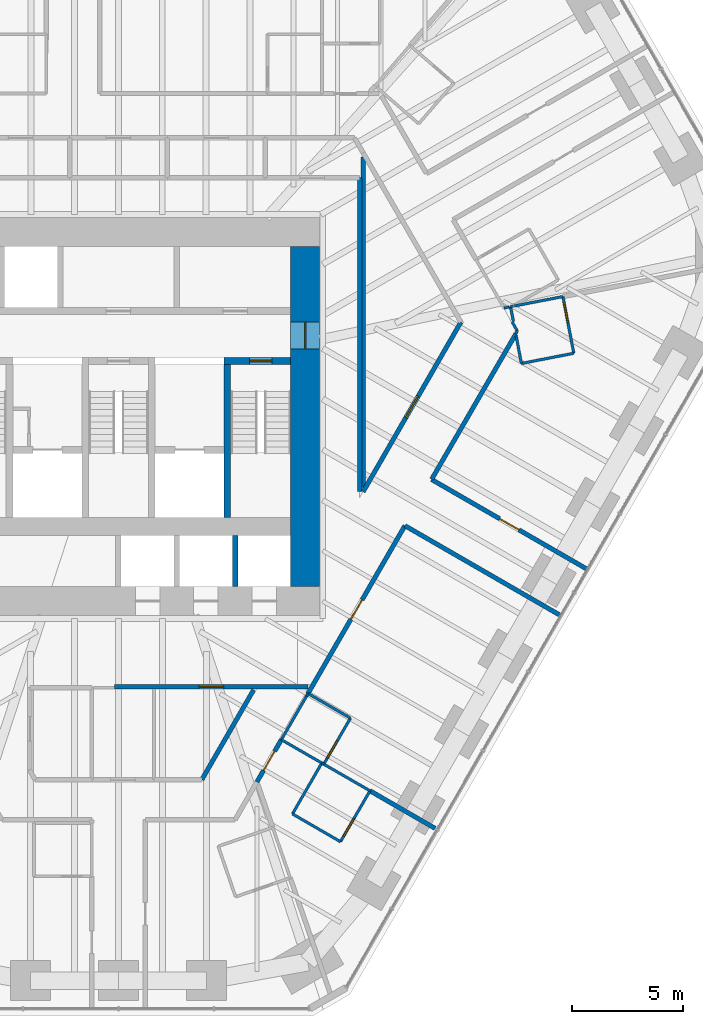
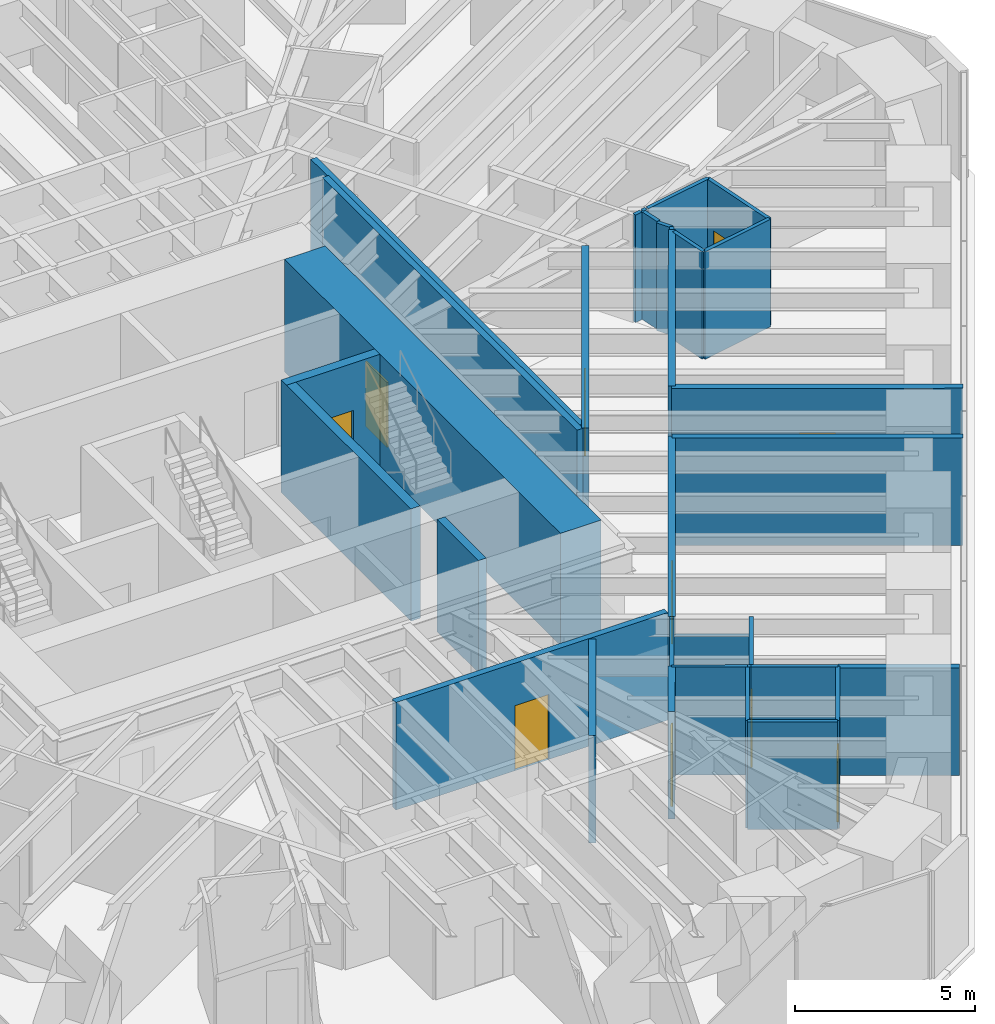
# One storey, part 13 of 17: 34 walls, 10 doors, 10 openings.
"""IFC4 building model written with IfcOpenShell, lengths in metres."""

import ifcopenshell
import ifcopenshell.guid

model = None  # the IFC model being written
_history = None  # IfcOwnerHistory: only IFC2X3 demands one
_inside = {}  # id of a spatial element -> (the spatial element, [elements in it])
_under = {}  # id of a project, library or spatial element -> (it, [spatial elements below it])
_declared = {}  # id of a project -> (the project, [libraries it declares])
_typed = {}  # id of a type object -> (the type object, [elements of that type])
_made_of = {}  # id of a material, layer set ... -> (it, [elements and type objects made of it])


def new_model(schema):
    """Start an empty IFC model of exactly this schema.

    Asked for "IFC4X3", IfcOpenShell would pick the latest addendum, in which some entities
    have other attributes; the version numbers below select the first issue.
    IFC2X3 requires an IfcOwnerHistory on every rooted entity: one is made here for all.
    """
    global model, _history
    if schema == "IFC4X3":
        model = ifcopenshell.file(schema_version=(4, 3, 0, 0))
    else:
        model = ifcopenshell.file(schema=schema)
    _inside.clear()
    _under.clear()
    _declared.clear()
    _typed.clear()
    _made_of.clear()
    _history = None
    if model.schema == "IFC2X3":
        org = make("IfcOrganization", Name="unknown")
        user = make(
            "IfcPersonAndOrganization",
            ThePerson=make("IfcPerson", FamilyName="unknown"),
            TheOrganization=org,
        )
        app = make(
            "IfcApplication",
            ApplicationDeveloper=org,
            Version="unknown",
            ApplicationFullName="unknown",
            ApplicationIdentifier="unknown",
        )
        _history = make(
            "IfcOwnerHistory",
            OwningUser=user,
            OwningApplication=app,
            ChangeAction="ADDED",
            CreationDate=0,
        )
    return model


def make(cls, **values):
    """One entity of the class cls with the attributes given. An attribute that is None is left unset."""
    return model.create_entity(
        cls, **{name: value for name, value in values.items() if value is not None}
    )


def rooted(cls, **values):
    """An entity with a GlobalId (a new one), such as an element, a storey or a relation."""
    return make(cls, GlobalId=ifcopenshell.guid.new(), OwnerHistory=_history, **values)


def si_unit(unit_type, name, prefix=None):
    """IfcSIUnit, for example si_unit("LENGTHUNIT", "METRE", prefix="MILLI")."""
    return make("IfcSIUnit", UnitType=unit_type, Prefix=prefix, Name=name)


def assignment(units):
    """IfcUnitAssignment: the units of a project."""
    return None if units is None else make("IfcUnitAssignment", Units=units)


def point(xyz):
    """IfcCartesianPoint."""
    return None if xyz is None else make("IfcCartesianPoint", Coordinates=xyz)


def direction(xyz):
    """IfcDirection."""
    return None if xyz is None else make("IfcDirection", DirectionRatios=xyz)


def frame(location, z_axis=None, x_axis=None):
    """IfcAxis2Placement3D, a coordinate frame: its origin and axes. An axis left out is left unset."""
    return make(
        "IfcAxis2Placement3D",
        Location=point(location),
        Axis=direction(z_axis),
        RefDirection=direction(x_axis),
    )


def frame_2d(location, x_axis=None):
    """IfcAxis2Placement2D, a coordinate frame in the plane: its origin and x axis."""
    return make(
        "IfcAxis2Placement2D", Location=point(location), RefDirection=direction(x_axis)
    )


def origin():
    """The frame at (0, 0, 0) with its axes left unset."""
    return frame((0.0, 0.0, 0.0))


def place(relative_to, where):
    """IfcLocalPlacement: puts the frame where relative to a parent placement (None: the world)."""
    return make(
        "IfcLocalPlacement", PlacementRelTo=relative_to, RelativePlacement=where
    )


def context(
    kind, dimensions, precision=None, world=None, true_north=None, identifier=None
):
    """IfcGeometricRepresentationContext, for example the 3D "Model" context."""
    return make(
        "IfcGeometricRepresentationContext",
        ContextIdentifier=identifier,
        ContextType=kind,
        CoordinateSpaceDimension=dimensions,
        Precision=precision,
        WorldCoordinateSystem=world,
        TrueNorth=true_north,
    )


def subcontext(parent, identifier, kind, view, scale=None):
    """IfcGeometricRepresentationSubContext, for example "Body" below "Model"."""
    return make(
        "IfcGeometricRepresentationSubContext",
        ContextIdentifier=identifier,
        ContextType=kind,
        ParentContext=parent,
        TargetScale=scale,
        TargetView=view,
    )


def project(units=None, contexts=None):
    """IfcProject with its units and contexts."""
    return rooted(
        "IfcProject",
        Name="project",
        RepresentationContexts=contexts,
        UnitsInContext=assignment(units),
    )


def spatial(cls, under=None, at=None, **own):
    """A site, building, storey or space (cls), placed at a placement, below another one or the project."""
    s = rooted(cls, ObjectPlacement=at, **own)
    if under is not None:
        _under.setdefault(under.id(), (under, []))[1].append(s)
    return s


def profile(cls, at=None, kind="AREA", **sizes):
    """A parametric profile (cls). Its sizes go by their IFC names, for example OverallWidth=200.0."""
    return make(cls, ProfileType=kind, Position=at, **sizes)


def rectangle(**sizes):
    """IfcRectangleProfileDef."""
    return profile("IfcRectangleProfileDef", **sizes)


def extrude(swept, where, along, depth):
    """IfcExtrudedAreaSolid: the profile swept, set in the frame where, extruded along a direction by depth."""
    return make(
        "IfcExtrudedAreaSolid",
        SweptArea=swept,
        Position=where,
        ExtrudedDirection=direction(along),
        Depth=depth,
    )


def shape(context_of_items, identifier, shape_type, items):
    """IfcShapeRepresentation: the items that make up one representation, for example the "Body"."""
    return make(
        "IfcShapeRepresentation",
        ContextOfItems=context_of_items,
        RepresentationIdentifier=identifier,
        RepresentationType=shape_type,
        Items=items,
    )


def material(Name=None, Category=None):
    """IfcMaterial."""
    return make("IfcMaterial", Name=Name, Category=Category)


def layer(
    of_material, thickness, ventilated=None, Name=None, Category=None, Priority=None
):
    """IfcMaterialLayer: one layer of a wall or slab, of a material (None: an air gap)."""
    return make(
        "IfcMaterialLayer",
        Material=of_material,
        LayerThickness=thickness,
        IsVentilated=ventilated,
        Name=Name,
        Category=Category,
        Priority=Priority,
    )


def layer_set(layers, Name=None):
    """IfcMaterialLayerSet."""
    return make("IfcMaterialLayerSet", MaterialLayers=layers, LayerSetName=Name)


def made_of(thing, what):
    """Note that an element or type object is made of a material, layer set ...; save() writes the relation."""
    if what is not None:
        _made_of.setdefault(what.id(), (what, []))[1].append(thing)
    return thing


def type_object(cls, material=None, **own):
    """A type object (cls), such as IfcWallType, which elements share."""
    return made_of(rooted(cls, **own), material)


def element(
    cls,
    number,
    at=None,
    inside=None,
    cuts=None,
    type_object=None,
    material=None,
    context=None,
    identifier="Body",
    shape_type=None,
    held_by="IfcProductDefinitionShape",
    body=None,
    shapes=None,
    **own,
):
    """One element of the class cls, such as IfcWall. Its Tag is "e" and its number.

    at: its placement. inside: the storey or other place that contains it. cuts: it is an
    opening in that element (IfcRelVoidsElement). A single representation is given by context,
    identifier, shape_type and body (its items); several are given by shapes. held_by: the class
    of the entity that holds the representations. save() writes the other relations.
    """
    e = rooted(cls, Tag="e%d" % number, ObjectPlacement=at, **own)
    if body is not None:
        shapes = [shape(context, identifier, shape_type, body)]
    if shapes is not None:
        e.Representation = make(held_by, Representations=shapes)
    if inside is not None:
        _inside.setdefault(inside.id(), (inside, []))[1].append(e)
    if cuts is not None:
        rooted(
            "IfcRelVoidsElement", RelatingBuildingElement=cuts, RelatedOpeningElement=e
        )
    if type_object is not None:
        _typed.setdefault(type_object.id(), (type_object, []))[1].append(e)
    return made_of(e, material)


def fill(opening, filler):
    """IfcRelFillsElement: the door or window that sits in an opening."""
    return rooted(
        "IfcRelFillsElement",
        RelatingOpeningElement=opening,
        RelatedBuildingElement=filler,
    )


def aggregate(whole, parts):
    """IfcRelAggregates: a whole, such as a stair, and the parts it consists of."""
    return rooted("IfcRelAggregates", RelatingObject=whole, RelatedObjects=parts)


def save(model, path):
    """Write the relations noted so far, then the file.

    IfcRelAggregates (storeys below a building ...), IfcRelContainedInSpatialStructure (elements
    in a storey), IfcRelDefinesByType, IfcRelAssociatesMaterial and IfcRelDeclares: one each for
    every whole, place, type object, material and project.
    """
    for whole, parts in _under.values():
        aggregate(whole, parts)
    for where, things in _inside.values():
        rooted(
            "IfcRelContainedInSpatialStructure",
            RelatedElements=things,
            RelatingStructure=where,
        )
    for kind, things in _typed.values():
        rooted("IfcRelDefinesByType", RelatedObjects=things, RelatingType=kind)
    for what, things in _made_of.values():
        rooted("IfcRelAssociatesMaterial", RelatedObjects=things, RelatingMaterial=what)
    for by, libraries in _declared.values():
        rooted("IfcRelDeclares", RelatingContext=by, RelatedDefinitions=libraries)
    model.write(path)


model = new_model("IFC4")

# Units and contexts
model_context = context("Model", 3, precision=1e-05, world=origin(), true_north=direction((0.0, 1.0)))
body_context = subcontext(model_context, "Body", "Model", "MODEL_VIEW")
ifc_project = project(units=[si_unit("LENGTHUNIT", "METRE"), si_unit("AREAUNIT", "SQUARE_METRE"), si_unit("VOLUMEUNIT", "CUBIC_METRE"), si_unit("PLANEANGLEUNIT", "RADIAN"), si_unit("MASSUNIT", "GRAM", prefix="KILO")], contexts=[model_context])

# Site, building, storey
site_placement = place(None, origin())
site = spatial("IfcSite", under=ifc_project, at=site_placement, CompositionType="ELEMENT")
building_placement = place(site_placement, origin())
building = spatial("IfcBuilding", under=site, at=building_placement, Name="Sandreach Pilgrim Tower", CompositionType="ELEMENT")
storey_placement = place(building_placement, frame((0.0, 0.0, 104.39990234375)))
storey = spatial("IfcBuildingStorey", under=building, at=storey_placement, Name="L25", CompositionType="ELEMENT", Elevation=104.39990234375)

# Walls
ifc_material_1 = material(Name="Moisture-resistant gypsum board on steel studs", Category="steel")
ifc_layer_1 = layer(ifc_material_1, 0.1201171875)
ifc_layer_set_1 = layer_set([ifc_layer_1], Name="Bathroom partition 120")
wall_type_1 = type_object("IfcWallType", Name="Bathroom partition 120", PredefinedType="PARTITIONING", material=ifc_layer_set_1)
wall_1_placement = place(storey_placement, frame((7.330078125, -16.090087890625, 0.0), z_axis=(0.0, 0.0, 1.0), x_axis=(0.500786797394, 0.865570669302, 0.0)))
element("IfcWall", 1, at=wall_1_placement, inside=storey, type_object=wall_type_1, Name="Bathroom partition L25-106", PredefinedType="PARTITIONING", context=body_context, shape_type="SweptSolid", body=[
    extrude(rectangle(XDim=2.276123046875, YDim=0.1201171875, at=frame_2d((1.13818359375, 0.0))), origin(), (0.0, 0.0, 1.0), 3.64013671875),
])
wall_2_placement = place(storey_placement, frame((7.330078125, -16.090087890625, 0.0), z_axis=(0.0, 0.0, 1.0), x_axis=(0.86618365172, -0.499725806311, 0.0)))
element("IfcWall", 2, at=wall_2_placement, inside=storey, type_object=wall_type_1, Name="Bathroom partition L25-107", PredefinedType="PARTITIONING", context=body_context, shape_type="SweptSolid", body=[
    extrude(rectangle(XDim=2.101318359375, YDim=0.1201171875, at=frame_2d((1.05078125, 0.0))), origin(), (0.0, 0.0, 1.0), 3.64013671875),
])
wall_3_placement = place(storey_placement, frame((7.830078125, -19.429931640625, 0.0), z_axis=(0.0, 0.0, 1.0), x_axis=(0.865508881864, -0.500893576935, 0.0)))
element("IfcWall", 3, at=wall_3_placement, inside=storey, type_object=wall_type_1, Name="Bathroom partition L25-109", PredefinedType="PARTITIONING", context=body_context, shape_type="SweptSolid", body=[
    extrude(rectangle(XDim=2.49560546875, YDim=0.1201171875, at=frame_2d((1.247802734375, 0.0))), origin(), (0.0, 0.0, 1.0), 3.64013671875),
])
wall_4_placement = place(storey_placement, frame((8.469970703125, -14.1201171875, 0.0), z_axis=(0.0, 0.0, 1.0), x_axis=(0.478852130681, 0.877895572914, 0.0)))
element("IfcWall", 4, at=wall_4_placement, inside=storey, type_object=wall_type_1, Name="Bathroom partition L25-110", PredefinedType="PARTITIONING", context=body_context, shape_type="SweptSolid", body=[
    extrude(rectangle(XDim=0.12548828125, YDim=0.1201171875, at=frame_2d((0.062744140625, 0.0))), origin(), (0.0, 0.0, 1.0), 3.64013671875),
])
wall_5_placement = place(storey_placement, frame((9.14990234375, -17.139892578125, 0.0), z_axis=(0.0, 0.0, 1.0), x_axis=(-0.499338582192, -0.866406936915, 0.0)))
element("IfcWall", 5, at=wall_5_placement, inside=storey, type_object=wall_type_1, Name="Bathroom partition L25-113", PredefinedType="PARTITIONING", context=body_context, shape_type="SweptSolid", body=[
    extrude(rectangle(XDim=2.64306640625, YDim=0.1201171875, at=frame_2d((1.321533203125, 0.0))), origin(), (0.0, 0.0, 1.0), 3.64013671875),
])
wall_6_placement = place(storey_placement, frame((9.14990234375, -17.139892578125, 0.0), z_axis=(0.0, 0.0, 1.0), x_axis=(0.867366768559, -0.49766945737, 0.0)))
element("IfcWall", 6, at=wall_6_placement, inside=storey, type_object=wall_type_1, Name="Bathroom partition L25-114", PredefinedType="PARTITIONING", context=body_context, shape_type="SweptSolid", body=[
    extrude(rectangle(XDim=0.10302734375, YDim=0.1201171875, at=frame_2d((0.051513671875, 0.0))), origin(), (0.0, 0.0, 1.0), 3.64013671875),
])
wall_7_placement = place(storey_placement, frame((9.2392578125, -17.191162109375, 0.0), z_axis=(0.0, 0.0, 1.0), x_axis=(0.86649853798, -0.49917961064, 0.0)))
element("IfcWall", 7, at=wall_7_placement, inside=storey, type_object=wall_type_1, Name="Bathroom partition L25-122", PredefinedType="PARTITIONING", context=body_context, shape_type="SweptSolid", body=[
    extrude(rectangle(XDim=2.4013671875, YDim=0.1201171875, at=frame_2d((1.20068359375, 0.0))), origin(), (0.0, 0.0, 1.0), 3.64013671875),
])

# Wall, opening, door
wall_8_placement = place(storey_placement, frame((9.239990234375, -17.18994140625, 0.0), z_axis=(0.0, 0.0, 1.0), x_axis=(0.501502765098, 0.865156041763, 0.0)))
wall_8 = element("IfcWall", 8, at=wall_8_placement, inside=storey, type_object=wall_type_1, Name="Bathroom partition L25-123", PredefinedType="PARTITIONING", context=body_context, shape_type="SweptSolid", body=[
    extrude(rectangle(XDim=2.392822265625, YDim=0.1201171875, at=frame_2d((1.1962890625, 0.0))), origin(), (0.0, 0.0, 1.0), 3.64013671875),
])
opening_1_placement = place(wall_8_placement, frame((0.300048828125, 0.0, 0.0)))
opening_1 = element("IfcOpeningElement", 9, at=opening_1_placement, cuts=wall_8, Name="Opening D09-08B", PredefinedType="OPENING", context=body_context, shape_type="SweptSolid", body=[
    extrude(rectangle(XDim=0.89990234375, YDim=2.030029296875, at=frame_2d((0.449951171875, 1.01513671875))), frame((0.0, 0.06005859375, 0.0), z_axis=(0.0, -1.0, 0.0), x_axis=(1.0, 0.0, 0.0)), (0.0, 0.0, 1.0), 0.1201171875),
])
ifc_material_2 = material(Name="Timber door, steel frame", Category="steel")
door_type_1 = type_object("IfcDoorType", Name="Bathroom door", OperationType="SINGLE_SWING_LEFT", PredefinedType="DOOR", material=ifc_material_2)
door_1_placement = place(opening_1_placement, origin())
door_1 = element("IfcDoor", 10, at=door_1_placement, inside=storey, type_object=door_type_1, Name="Door 2508B", OperationType="SINGLE_SWING_LEFT", OverallHeight=2.030029296875, OverallWidth=0.89990234375, PredefinedType="DOOR", context=body_context, shape_type="SweptSolid", body=[
    extrude(rectangle(XDim=0.89990234375, YDim=2.030029296875, at=frame_2d((0.449951171875, 1.01513671875))), frame((0.0, 0.02490234375, 0.0), z_axis=(0.0, -1.0, 0.0), x_axis=(1.0, 0.0, 0.0)), (0.0, 0.0, 1.0), 0.050048828125),
])
fill(opening_1, door_1)

wall_9_placement = place(storey_placement, frame((9.989990234375, -20.679931640625, 0.0), z_axis=(0.0, 0.0, 1.0), x_axis=(0.502242265546, 0.864726954997, 0.0)))
wall_9 = element("IfcWall", 11, at=wall_9_placement, inside=storey, type_object=wall_type_1, Name="Bathroom partition L25-124", PredefinedType="PARTITIONING", context=body_context, shape_type="SweptSolid", body=[
    extrude(rectangle(XDim=2.648193359375, YDim=0.1201171875, at=frame_2d((1.32421875, 0.0))), origin(), (0.0, 0.0, 1.0), 3.64013671875),
])
opening_2_placement = place(wall_9_placement, frame((0.300048828125, 0.0, 0.0)))
opening_2 = element("IfcOpeningElement", 12, at=opening_2_placement, cuts=wall_9, Name="Opening D09-09B", PredefinedType="OPENING", context=body_context, shape_type="SweptSolid", body=[
    extrude(rectangle(XDim=0.89990234375, YDim=2.030029296875, at=frame_2d((0.449951171875, 1.01513671875))), frame((0.0, 0.06005859375, 0.0), z_axis=(0.0, -1.0, 0.0), x_axis=(1.0, 0.0, 0.0)), (0.0, 0.0, 1.0), 0.1201171875),
])
door_2_placement = place(opening_2_placement, origin())
door_2 = element("IfcDoor", 13, at=door_2_placement, inside=storey, type_object=door_type_1, Name="Door 2509B", OperationType="SINGLE_SWING_LEFT", OverallHeight=2.030029296875, OverallWidth=0.89990234375, PredefinedType="DOOR", context=body_context, shape_type="SweptSolid", body=[
    extrude(rectangle(XDim=0.89990234375, YDim=2.030029296875, at=frame_2d((0.449951171875, 1.01513671875))), frame((0.0, 0.02490234375, 0.0), z_axis=(0.0, -1.0, 0.0), x_axis=(1.0, 0.0, 0.0)), (0.0, 0.0, 1.0), 0.050048828125),
])
fill(opening_2, door_2)

# Walls
wall_10_placement = place(storey_placement, frame((10.43994140625, -15.1201171875, 0.0), z_axis=(0.0, 0.0, 1.0), x_axis=(-0.864567486339, 0.502516727647, 0.0)))
element("IfcWall", 14, at=wall_10_placement, inside=storey, type_object=wall_type_1, Name="Bathroom partition L25-125", PredefinedType="PARTITIONING", context=body_context, shape_type="SweptSolid", body=[
    extrude(rectangle(XDim=2.208984375, YDim=0.1201171875, at=frame_2d((1.1044921875, 0.0))), origin(), (0.0, 0.0, 1.0), 3.02294921875),
])
wall_11_placement = place(storey_placement, frame((17.58203125, 3.383544921875, 0.0), z_axis=(0.0, 0.0, 1.0), x_axis=(-0.982006446981, -0.18884739365, 0.0)))
element("IfcWall", 15, at=wall_11_placement, inside=storey, type_object=wall_type_1, Name="Bathroom partition L25-149", PredefinedType="PARTITIONING", context=body_context, shape_type="SweptSolid", body=[
    extrude(rectangle(XDim=0.2392578125, YDim=0.1201171875, at=frame_2d((0.11962890625, 0.0))), origin(), (0.0, 0.0, 1.0), 3.64013671875),
])
wall_12_placement = place(storey_placement, frame((17.639892578125, 3.39990234375, 0.0), z_axis=(0.0, 0.0, 1.0), x_axis=(0.988371697651, 0.152057184254, 0.0)))
element("IfcWall", 16, at=wall_12_placement, inside=storey, type_object=wall_type_1, Name="Bathroom partition L25-150", PredefinedType="PARTITIONING", context=body_context, shape_type="SweptSolid", body=[
    extrude(rectangle(XDim=0.131591796875, YDim=0.1201171875, at=frame_2d((0.06591796875, 0.0))), origin(), (0.0, 0.0, 1.0), 3.64013671875),
])
wall_13_placement = place(storey_placement, frame((17.719970703125, 2.699951171875, 0.0), z_axis=(0.0, 0.0, 1.0), x_axis=(0.498530782172, -0.866871997025, 0.0)))
element("IfcWall", 17, at=wall_13_placement, inside=storey, type_object=wall_type_1, Name="Bathroom partition L25-151", PredefinedType="PARTITIONING", context=body_context, shape_type="SweptSolid", body=[
    extrude(rectangle(XDim=0.46142578125, YDim=0.1201171875, at=frame_2d((0.230712890625, 0.0))), origin(), (0.0, 0.0, 1.0), 3.64013671875),
])
wall_14_placement = place(storey_placement, frame((17.773681640625, 2.7314453125, 0.0), z_axis=(0.0, 0.0, 1.0), x_axis=(-0.196253874553, 0.980553117747, 0.0)))
element("IfcWall", 18, at=wall_14_placement, inside=storey, type_object=wall_type_1, Name="Bathroom partition L25-153", PredefinedType="PARTITIONING", context=body_context, shape_type="SweptSolid", body=[
    extrude(rectangle(XDim=0.681640625, YDim=0.1201171875, at=frame_2d((0.3408203125, 0.0))), origin(), (0.0, 0.0, 1.0), 3.64013671875),
])
wall_15_placement = place(storey_placement, frame((17.814208984375, 3.428466796875, 0.0), z_axis=(0.0, 0.0, 1.0), x_axis=(0.981899119444, 0.189404644173, 0.0)))
element("IfcWall", 19, at=wall_15_placement, inside=storey, type_object=wall_type_1, Name="Bathroom partition L25-154", PredefinedType="PARTITIONING", context=body_context, shape_type="SweptSolid", body=[
    extrude(rectangle(XDim=2.22607421875, YDim=0.1201171875, at=frame_2d((1.113037109375, 0.0))), origin(), (0.0, 0.0, 1.0), 3.64013671875),
])
wall_16_placement = place(storey_placement, frame((17.8798828125, 2.169921875, 0.0), z_axis=(0.0, 0.0, 1.0), x_axis=(0.474099823035, 0.880471099922, 0.0)))
element("IfcWall", 20, at=wall_16_placement, inside=storey, type_object=wall_type_1, Name="Bathroom partition L25-155", PredefinedType="PARTITIONING", context=body_context, shape_type="SweptSolid", body=[
    extrude(rectangle(XDim=0.147705078125, YDim=0.1201171875, at=frame_2d((0.07373046875, 0.0))), origin(), (0.0, 0.0, 1.0), 3.64013671875),
])
wall_17_placement = place(storey_placement, frame((17.896728515625, 2.08154296875, 0.0), z_axis=(0.0, 0.0, 1.0), x_axis=(0.184580266957, -0.982817442382, 0.0)))
element("IfcWall", 21, at=wall_17_placement, inside=storey, type_object=wall_type_1, Name="Bathroom partition L25-156", PredefinedType="PARTITIONING", context=body_context, shape_type="SweptSolid", body=[
    extrude(rectangle(XDim=1.26318359375, YDim=0.1201171875, at=frame_2d((0.631591796875, 0.0))), origin(), (0.0, 0.0, 1.0), 3.64013671875),
])
wall_18_placement = place(storey_placement, frame((18.1298828125, 0.840087890625, 0.0), z_axis=(0.0, 0.0, 1.0), x_axis=(0.981533392326, 0.191290877329, 0.0)))
element("IfcWall", 22, at=wall_18_placement, inside=storey, type_object=wall_type_1, Name="Bathroom partition L25-157", PredefinedType="PARTITIONING", context=body_context, shape_type="SweptSolid", body=[
    extrude(rectangle(XDim=2.404541015625, YDim=0.1201171875, at=frame_2d((1.2021484375, 0.0))), origin(), (0.0, 0.0, 1.0), 3.64013671875),
])

# Wall, opening, door
wall_19_placement = place(storey_placement, frame((20.489990234375, 1.300048828125, 0.0), z_axis=(0.0, 0.0, 1.0), x_axis=(-0.188697442844, 0.982035271802, 0.0)))
wall_19 = element("IfcWall", 23, at=wall_19_placement, inside=storey, type_object=wall_type_1, Name="Bathroom partition L25-161", PredefinedType="PARTITIONING", context=body_context, shape_type="SweptSolid", body=[
    extrude(rectangle(XDim=2.5966796875, YDim=0.1201171875, at=frame_2d((1.29833984375, 0.0))), origin(), (0.0, 0.0, 1.0), 3.64013671875),
])
opening_3_placement = place(wall_19_placement, frame((1.396728515625, 0.0, 0.0)))
opening_3 = element("IfcOpeningElement", 24, at=opening_3_placement, cuts=wall_19, Name="Opening D09-07B", PredefinedType="OPENING", context=body_context, shape_type="SweptSolid", body=[
    extrude(rectangle(XDim=0.89990234375, YDim=2.030029296875, at=frame_2d((0.449951171875, 1.01513671875))), frame((0.0, 0.06005859375, 0.0), z_axis=(0.0, -1.0, 0.0), x_axis=(1.0, 0.0, 0.0)), (0.0, 0.0, 1.0), 0.1201171875),
])
door_3_placement = place(opening_3_placement, origin())
door_3 = element("IfcDoor", 25, at=door_3_placement, inside=storey, type_object=door_type_1, Name="Door 2507B", OperationType="SINGLE_SWING_RIGHT", OverallHeight=2.030029296875, OverallWidth=0.89990234375, PredefinedType="DOOR", context=body_context, shape_type="SweptSolid", body=[
    extrude(rectangle(XDim=0.89990234375, YDim=2.030029296875, at=frame_2d((0.449951171875, 1.01513671875))), frame((0.0, 0.02490234375, 0.0), z_axis=(0.0, -1.0, 0.0), x_axis=(1.0, 0.0, 0.0)), (0.0, 0.0, 1.0), 0.050048828125),
])
fill(opening_3, door_3)

# Wall
ifc_material_3 = material(Name="Concrete 10000 psi", Category="concrete")
ifc_layer_2 = layer(ifc_material_3, 0.300048828125)
ifc_layer_set_2 = layer_set([ifc_layer_2], Name="Core inner wall 300")
wall_type_2 = type_object("IfcWallType", Name="Core inner wall 300", PredefinedType="SHEAR", material=ifc_layer_set_2)
wall_20_placement = place(storey_placement, frame((4.89990234375, -6.10009765625, 0.0), z_axis=(0.0, 0.0, 1.0), x_axis=(0.0, 1.0, 0.0)))
element("IfcWall", 26, at=wall_20_placement, inside=storey, type_object=wall_type_2, Name="Core wall I3 L25", PredefinedType="SHEAR", context=body_context, shape_type="SweptSolid", body=[
    extrude(rectangle(XDim=7.2001953125, YDim=0.300048828125, at=frame_2d((3.60009765625, 0.0))), origin(), (0.0, 0.0, 1.0), 3.800048828125),
])

# Wall, opening, door
wall_21_placement = place(storey_placement, frame((4.75, 0.949951171875, 0.0), z_axis=(0.0, 0.0, 1.0), x_axis=(1.0, 0.0, 0.0)))
wall_21 = element("IfcWall", 27, at=wall_21_placement, inside=storey, type_object=wall_type_2, Name="Core wall SN2 L25", PredefinedType="SHEAR", context=body_context, shape_type="SweptSolid", body=[
    extrude(rectangle(XDim=3.0, YDim=0.300048828125, at=frame_2d((1.5, 0.0))), origin(), (0.0, 0.0, 1.0), 3.800048828125),
])
opening_4_placement = place(wall_21_placement, frame((1.14990234375, 0.0, 0.0)))
opening_4 = element("IfcOpeningElement", 28, at=opening_4_placement, cuts=wall_21, Name="Opening D10S-ST2", PredefinedType="OPENING", context=body_context, shape_type="SweptSolid", body=[
    extrude(rectangle(XDim=1.0, YDim=2.199951171875, at=frame_2d((0.5, 1.10009765625))), frame((0.0, 0.14990234375, 0.0), z_axis=(0.0, -1.0, 0.0), x_axis=(1.0, 0.0, 0.0)), (0.0, 0.0, 1.0), 0.300048828125),
])
ifc_material_4 = material(Name="Steel door and frame", Category="steel")
door_type_2 = type_object("IfcDoorType", Name="Stair door", OperationType="SINGLE_SWING_LEFT", PredefinedType="DOOR", material=ifc_material_4)
door_4_placement = place(opening_4_placement, origin())
door_4 = element("IfcDoor", 29, at=door_4_placement, inside=storey, type_object=door_type_2, Name="Stair door ST2 L25", OperationType="SINGLE_SWING_RIGHT", OverallHeight=2.199951171875, OverallWidth=1.0, PredefinedType="DOOR", context=body_context, shape_type="SweptSolid", body=[
    extrude(rectangle(XDim=1.0, YDim=2.199951171875, at=frame_2d((0.5, 1.10009765625))), frame((0.0, 0.02490234375, 0.0), z_axis=(0.0, -1.0, 0.0), x_axis=(1.0, 0.0, 0.0)), (0.0, 0.0, 1.0), 0.050048828125),
])
fill(opening_4, door_4)

ifc_material_5 = material(Name="Concrete 10000 psi", Category="concrete")
ifc_layer_3 = layer(ifc_material_5, 1.300048828125)
ifc_layer_set_3 = layer_set([ifc_layer_3], Name="Core wall 1300")
wall_type_3 = type_object("IfcWallType", Name="Core wall 1300", PredefinedType="SHEAR", material=ifc_layer_set_3)
wall_22_placement = place(storey_placement, frame((8.39990234375, -9.199951171875, 0.0), z_axis=(0.0, 0.0, 1.0), x_axis=(0.0, 1.0, 0.0)))
wall_22 = element("IfcWall", 30, at=wall_22_placement, inside=storey, type_object=wall_type_3, Name="Core wall E L25", PredefinedType="SHEAR", context=body_context, shape_type="SweptSolid", body=[
    extrude(rectangle(XDim=15.300048828125, YDim=1.300048828125, at=frame_2d((7.64990234375, 0.0))), origin(), (0.0, 0.0, 1.0), 3.800048828125),
])
opening_5_placement = place(wall_22_placement, frame((10.699951171875, 0.0, 0.0)))
opening_5 = element("IfcOpeningElement", 31, at=opening_5_placement, cuts=wall_22, Name="Opening D12F-E", PredefinedType="OPENING", context=body_context, shape_type="SweptSolid", body=[
    extrude(rectangle(XDim=1.199951171875, YDim=2.199951171875, at=frame_2d((0.60009765625, 1.10009765625))), frame((0.0, 0.64990234375, 0.0), z_axis=(0.0, -1.0, 0.0), x_axis=(1.0, 0.0, 0.0)), (0.0, 0.0, 1.0), 1.300048828125),
])
ifc_material_6 = material(Name="Steel door and frame", Category="steel")
door_type_3 = type_object("IfcDoorType", Name="Fire lobby door", OperationType="SINGLE_SWING_LEFT", PredefinedType="DOOR", material=ifc_material_6)
door_5_placement = place(opening_5_placement, origin())
door_5 = element("IfcDoor", 32, at=door_5_placement, inside=storey, type_object=door_type_3, Name="Fire service lobby door E L25", OperationType="SINGLE_SWING_RIGHT", OverallHeight=2.199951171875, OverallWidth=1.199951171875, PredefinedType="DOOR", context=body_context, shape_type="SweptSolid", body=[
    extrude(rectangle(XDim=1.199951171875, YDim=2.199951171875, at=frame_2d((0.60009765625, 1.10009765625))), frame((0.0, 0.02490234375, 0.0), z_axis=(0.0, -1.0, 0.0), x_axis=(1.0, 0.0, 0.0)), (0.0, 0.0, 1.0), 0.050048828125),
])
fill(opening_5, door_5)

# Wall
ifc_material_7 = material(Name="Gypsum board on steel studs, two layers each side", Category="steel")
ifc_layer_4 = layer(ifc_material_7, 0.199951171875)
ifc_layer_set_4 = layer_set([ifc_layer_4], Name="Corridor wall 200")
wall_type_4 = type_object("IfcWallType", Name="Corridor wall 200", PredefinedType="PARTITIONING", material=ifc_layer_set_4)
wall_23_placement = place(storey_placement, frame((6.08251953125, -13.849609375, 0.0), z_axis=(0.0, 0.0, 1.0), x_axis=(-0.499977643516, -0.866038310922, 0.0)))
element("IfcWall", 33, at=wall_23_placement, inside=storey, type_object=wall_type_4, Name="Corridor wall L25-096", PredefinedType="PARTITIONING", context=body_context, shape_type="SweptSolid", body=[
    extrude(rectangle(XDim=4.665283203125, YDim=0.199951171875, at=frame_2d((2.33251953125, 0.0))), origin(), (0.0, 0.0, 1.0), 3.64013671875),
])

# Wall, opening, door
wall_24_placement = place(storey_placement, frame((6.22998046875, -17.989990234375, 0.0), z_axis=(0.0, 0.0, 1.0), x_axis=(0.501088872721, 0.865395829453, 0.0)))
wall_24 = element("IfcWall", 34, at=wall_24_placement, inside=storey, type_object=wall_type_4, Name="Corridor wall L25-097", PredefinedType="PARTITIONING", context=body_context, shape_type="SweptSolid", body=[
    extrude(rectangle(XDim=2.1953125, YDim=0.199951171875, at=frame_2d((1.09765625, 0.0))), origin(), (0.0, 0.0, 1.0), 3.64013671875),
])
opening_6_placement = place(wall_24_placement, frame((0.59765625, 0.0, 0.0)))
opening_6 = element("IfcOpeningElement", 35, at=opening_6_placement, cuts=wall_24, Name="Opening D10-09", PredefinedType="OPENING", context=body_context, shape_type="SweptSolid", body=[
    extrude(rectangle(XDim=1.0, YDim=2.1298828125, at=frame_2d((0.5, 1.06494140625))), frame((0.0, 0.10009765625, 0.0), z_axis=(0.0, -1.0, 0.0), x_axis=(1.0, 0.0, 0.0)), (0.0, 0.0, 1.0), 0.199951171875),
])
ifc_material_8 = material(Name="Steel door and frame", Category="steel")
door_type_4 = type_object("IfcDoorType", Name="Guest room entry door", OperationType="SINGLE_SWING_LEFT", PredefinedType="DOOR", material=ifc_material_8)
door_6_placement = place(opening_6_placement, origin())
door_6 = element("IfcDoor", 36, at=door_6_placement, inside=storey, type_object=door_type_4, Name="Door 2509", OperationType="SINGLE_SWING_LEFT", OverallHeight=2.1298828125, OverallWidth=1.0, PredefinedType="DOOR", context=body_context, shape_type="SweptSolid", body=[
    extrude(rectangle(XDim=1.0, YDim=2.1298828125, at=frame_2d((0.5, 1.06494140625))), frame((0.0, 0.02490234375, 0.0), z_axis=(0.0, -1.0, 0.0), x_axis=(1.0, 0.0, 0.0)), (0.0, 0.0, 1.0), 0.050048828125),
])
fill(opening_6, door_6)

wall_25_placement = place(storey_placement, frame((8.530029296875, -14.010009765625, 0.0), z_axis=(0.0, 0.0, 1.0), x_axis=(0.500072306674, 0.865983653482, 0.0)))
wall_25 = element("IfcWall", 37, at=wall_25_placement, inside=storey, type_object=wall_type_4, Name="Corridor wall L25-111", PredefinedType="PARTITIONING", context=body_context, shape_type="SweptSolid", body=[
    extrude(rectangle(XDim=8.718505859375, YDim=0.199951171875, at=frame_2d((4.359375, 0.0))), origin(), (0.0, 0.0, 1.0), 3.64013671875),
])
opening_7_placement = place(wall_25_placement, frame((3.859375, 0.0, 0.0)))
opening_7 = element("IfcOpeningElement", 38, at=opening_7_placement, cuts=wall_25, Name="Opening D10-08", PredefinedType="OPENING", context=body_context, shape_type="SweptSolid", body=[
    extrude(rectangle(XDim=1.0, YDim=2.1298828125, at=frame_2d((0.5, 1.06494140625))), frame((0.0, 0.10009765625, 0.0), z_axis=(0.0, -1.0, 0.0), x_axis=(1.0, 0.0, 0.0)), (0.0, 0.0, 1.0), 0.199951171875),
])
door_7_placement = place(opening_7_placement, origin())
door_7 = element("IfcDoor", 39, at=door_7_placement, inside=storey, type_object=door_type_4, Name="Door 2508", OperationType="SINGLE_SWING_LEFT", OverallHeight=2.1298828125, OverallWidth=1.0, PredefinedType="DOOR", context=body_context, shape_type="SweptSolid", body=[
    extrude(rectangle(XDim=1.0, YDim=2.1298828125, at=frame_2d((0.5, 1.06494140625))), frame((0.0, 0.02490234375, 0.0), z_axis=(0.0, -1.0, 0.0), x_axis=(1.0, 0.0, 0.0)), (0.0, 0.0, 1.0), 0.050048828125),
])
fill(opening_7, door_7)

wall_26_placement = place(storey_placement, frame((8.53369140625, -13.699951171875, 0.0), z_axis=(0.0, 0.0, 1.0), x_axis=(-1.0, 0.0, 0.0)))
wall_26 = element("IfcWall", 40, at=wall_26_placement, inside=storey, type_object=wall_type_4, Name="Corridor wall L25-112", PredefinedType="PARTITIONING", context=body_context, shape_type="SweptSolid", body=[
    extrude(rectangle(XDim=8.70361328125, YDim=0.199951171875, at=frame_2d((4.351806640625, 0.0))), origin(), (0.0, 0.0, 1.0), 3.64013671875),
])
opening_8_placement = place(wall_26_placement, frame((3.8017578125, 0.0, 0.0)))
opening_8 = element("IfcOpeningElement", 41, at=opening_8_placement, cuts=wall_26, Name="Opening D11H-S4", PredefinedType="OPENING", context=body_context, shape_type="SweptSolid", body=[
    extrude(rectangle(XDim=1.10009765625, YDim=2.199951171875, at=frame_2d((0.550048828125, 1.10009765625))), frame((0.0, 0.10009765625, 0.0), z_axis=(0.0, -1.0, 0.0), x_axis=(1.0, 0.0, 0.0)), (0.0, 0.0, 1.0), 0.199951171875),
])
ifc_material_9 = material(Name="Steel door and frame", Category="steel")
door_type_5 = type_object("IfcDoorType", Name="Back of house door", OperationType="SINGLE_SWING_LEFT", PredefinedType="DOOR", material=ifc_material_9)
door_8_placement = place(opening_8_placement, origin())
door_8 = element("IfcDoor", 42, at=door_8_placement, inside=storey, type_object=door_type_5, Name="Door 25S4", OperationType="SINGLE_SWING_LEFT", OverallHeight=2.199951171875, OverallWidth=1.10009765625, PredefinedType="DOOR", context=body_context, shape_type="SweptSolid", body=[
    extrude(rectangle(XDim=1.10009765625, YDim=2.199951171875, at=frame_2d((0.550048828125, 1.10009765625))), frame((0.0, 0.02490234375, 0.0), z_axis=(0.0, -1.0, 0.0), x_axis=(1.0, 0.0, 0.0)), (0.0, 0.0, 1.0), 0.050048828125),
])
fill(opening_8, door_8)

# Walls
wall_27_placement = place(storey_placement, frame((10.85009765625, -4.909912109375, 0.0), z_axis=(0.0, 0.0, 1.0), x_axis=(0.0, 1.0, 0.0)))
element("IfcWall", 43, at=wall_27_placement, inside=storey, type_object=wall_type_4, Name="Corridor wall L25-128", PredefinedType="PARTITIONING", context=body_context, shape_type="SweptSolid", body=[
    extrude(rectangle(XDim=14.10986328125, YDim=0.199951171875, at=frame_2d((7.054931640625, 0.0))), origin(), (0.0, 0.0, 1.0), 3.64013671875),
])
wall_28_placement = place(storey_placement, frame((12.898681640625, -6.465087890625, 0.0), z_axis=(0.0, 0.0, 1.0), x_axis=(0.866184578051, -0.499724200681, 0.0)))
element("IfcWall", 44, at=wall_28_placement, inside=storey, type_object=wall_type_4, Name="Corridor wall L25-139", PredefinedType="PARTITIONING", context=body_context, shape_type="SweptSolid", body=[
    extrude(rectangle(XDim=8.064453125, YDim=0.199951171875, at=frame_2d((4.0322265625, 0.0))), origin(), (0.0, 0.0, 1.0), 3.64013671875),
])
wall_29_placement = place(storey_placement, frame((14.097412109375, -4.366943359375, 0.0), z_axis=(0.0, 0.0, 1.0), x_axis=(0.500859137679, 0.865528811885, 0.0)))
element("IfcWall", 45, at=wall_29_placement, inside=storey, type_object=wall_type_4, Name="Corridor wall L25-143", PredefinedType="PARTITIONING", context=body_context, shape_type="SweptSolid", body=[
    extrude(rectangle(XDim=7.552490234375, YDim=0.199951171875, at=frame_2d((3.7763671875, 0.0))), origin(), (0.0, 0.0, 1.0), 3.64013671875),
])

# Wall, opening, door
wall_30_placement = place(storey_placement, frame((15.409912109375, 2.699951171875, 0.0), z_axis=(0.0, 0.0, 1.0), x_axis=(-0.499556067326, -0.866281556769, 0.0)))
wall_30 = element("IfcWall", 46, at=wall_30_placement, inside=storey, type_object=wall_type_4, Name="Corridor wall L25-147", PredefinedType="PARTITIONING", context=body_context, shape_type="SweptSolid", body=[
    extrude(rectangle(XDim=8.8076171875, YDim=0.199951171875, at=frame_2d((4.40380859375, 0.0))), origin(), (0.0, 0.0, 1.0), 3.64013671875),
])
opening_9_placement = place(wall_30_placement, frame((3.85400390625, 0.0, 0.0)))
opening_9 = element("IfcOpeningElement", 47, at=opening_9_placement, cuts=wall_30, Name="Opening D11H-M07", PredefinedType="OPENING", context=body_context, shape_type="SweptSolid", body=[
    extrude(rectangle(XDim=1.10009765625, YDim=2.199951171875, at=frame_2d((0.550048828125, 1.10009765625))), frame((0.0, 0.10009765625, 0.0), z_axis=(0.0, -1.0, 0.0), x_axis=(1.0, 0.0, 0.0)), (0.0, 0.0, 1.0), 0.199951171875),
])
door_9_placement = place(opening_9_placement, origin())
door_9 = element("IfcDoor", 48, at=door_9_placement, inside=storey, type_object=door_type_5, Name="Door 25M07", OperationType="SINGLE_SWING_LEFT", OverallHeight=2.199951171875, OverallWidth=1.10009765625, PredefinedType="DOOR", context=body_context, shape_type="SweptSolid", body=[
    extrude(rectangle(XDim=1.10009765625, YDim=2.199951171875, at=frame_2d((0.550048828125, 1.10009765625))), frame((0.0, 0.02490234375, 0.0), z_axis=(0.0, -1.0, 0.0), x_axis=(1.0, 0.0, 0.0)), (0.0, 0.0, 1.0), 0.050048828125),
])
fill(opening_9, door_9)

wall_31_placement = place(storey_placement, frame((21.083984375, -8.4150390625, 0.0), z_axis=(0.0, 0.0, 1.0), x_axis=(-0.866174008169, 0.499742521277, 0.0)))
wall_31 = element("IfcWall", 49, at=wall_31_placement, inside=storey, type_object=wall_type_4, Name="Corridor wall L25-162", PredefinedType="PARTITIONING", context=body_context, shape_type="SweptSolid", body=[
    extrude(rectangle(XDim=8.074462890625, YDim=0.199951171875, at=frame_2d((4.037109375, 0.0))), origin(), (0.0, 0.0, 1.0), 3.64013671875),
])
opening_10_placement = place(wall_31_placement, frame((3.537353515625, 0.0, 0.0)))
opening_10 = element("IfcOpeningElement", 50, at=opening_10_placement, cuts=wall_31, Name="Opening D10-07", PredefinedType="OPENING", context=body_context, shape_type="SweptSolid", body=[
    extrude(rectangle(XDim=1.0, YDim=2.1298828125, at=frame_2d((0.5, 1.06494140625))), frame((0.0, 0.10009765625, 0.0), z_axis=(0.0, -1.0, 0.0), x_axis=(1.0, 0.0, 0.0)), (0.0, 0.0, 1.0), 0.199951171875),
])
door_10_placement = place(opening_10_placement, origin())
door_10 = element("IfcDoor", 51, at=door_10_placement, inside=storey, type_object=door_type_4, Name="Door 2507", OperationType="SINGLE_SWING_LEFT", OverallHeight=2.1298828125, OverallWidth=1.0, PredefinedType="DOOR", context=body_context, shape_type="SweptSolid", body=[
    extrude(rectangle(XDim=1.0, YDim=2.1298828125, at=frame_2d((0.5, 1.06494140625))), frame((0.0, 0.02490234375, 0.0), z_axis=(0.0, -1.0, 0.0), x_axis=(1.0, 0.0, 0.0)), (0.0, 0.0, 1.0), 0.050048828125),
])
fill(opening_10, door_10)

# Walls
ifc_material_10 = material(Name="Double steel stud acoustic wall, gypsum board", Category="steel")
ifc_layer_5 = layer(ifc_material_10, 0.199951171875)
ifc_layer_set_5 = layer_set([ifc_layer_5], Name="Party wall 200")
wall_type_5 = type_object("IfcWallType", Name="Party wall 200", PredefinedType="PARTITIONING", material=ifc_layer_set_5)
wall_32_placement = place(storey_placement, frame((11.010009765625, 10.125, 0.0), z_axis=(0.0, 0.0, 1.0), x_axis=(0.0, -1.0, 0.0)))
element("IfcWall", 52, at=wall_32_placement, inside=storey, type_object=wall_type_5, Name="Party wall L25-129", PredefinedType="PARTITIONING", context=body_context, shape_type="SweptSolid", body=[
    extrude(rectangle(XDim=14.85498046875, YDim=0.199951171875, at=frame_2d((7.427490234375, 0.0))), origin(), (0.0, 0.0, 1.0), 3.64013671875),
])
wall_33_placement = place(storey_placement, frame((11.320068359375, -18.389892578125, 0.0), z_axis=(0.0, 0.0, 1.0), x_axis=(0.865917229834, -0.50018731599, 0.0)))
element("IfcWall", 53, at=wall_33_placement, inside=storey, type_object=wall_type_5, Name="Party wall L25-133", PredefinedType="PARTITIONING", context=body_context, shape_type="SweptSolid", body=[
    extrude(rectangle(XDim=3.379150390625, YDim=0.199951171875, at=frame_2d((1.689453125, 0.0))), origin(), (0.0, 0.0, 1.0), 3.64013671875),
])
ifc_material_11 = material(Name="Gypsum shaft wall on steel studs, two layers of shaft liner board", Category="steel")
ifc_layer_6 = layer(ifc_material_11, 0.25)
ifc_layer_set_6 = layer_set([ifc_layer_6], Name="Shaft partition 250")
wall_type_6 = type_object("IfcWallType", Name="Shaft partition 250", PredefinedType="PARTITIONING", material=ifc_layer_set_6)
wall_34_placement = place(storey_placement, frame((5.25, -9.199951171875, 0.0), z_axis=(0.0, 0.0, 1.0), x_axis=(0.0, 1.0, 0.0)))
element("IfcWall", 54, at=wall_34_placement, inside=storey, type_object=wall_type_6, Name="Shaft partition XS4 L25", PredefinedType="PARTITIONING", context=body_context, shape_type="SweptSolid", body=[
    extrude(rectangle(XDim=2.300048828125, YDim=0.25, at=frame_2d((1.14990234375, 0.0))), origin(), (0.0, 0.0, 1.0), 3.800048828125),
])

save(model, "model.ifc")
